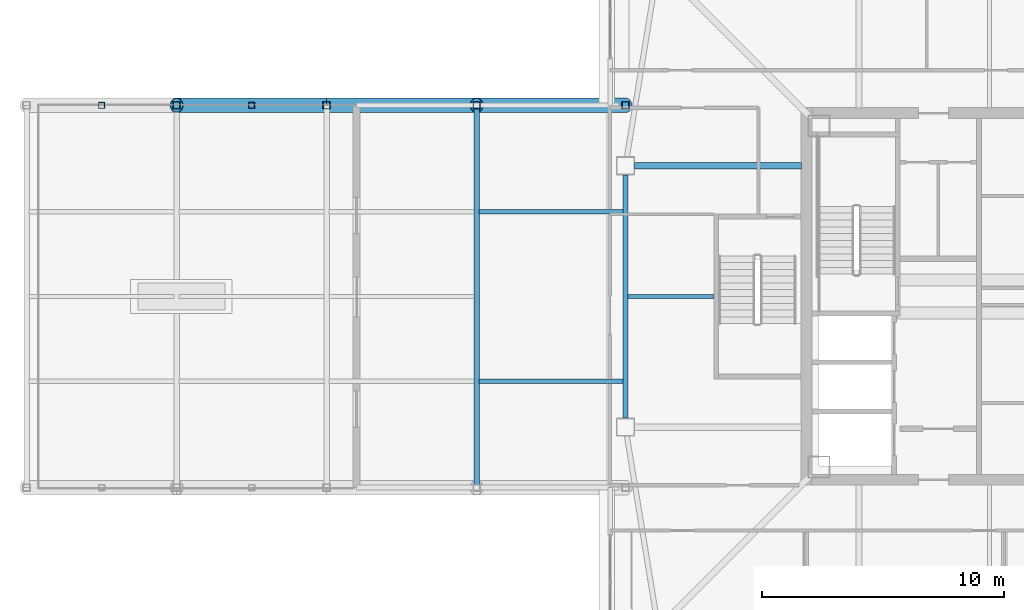
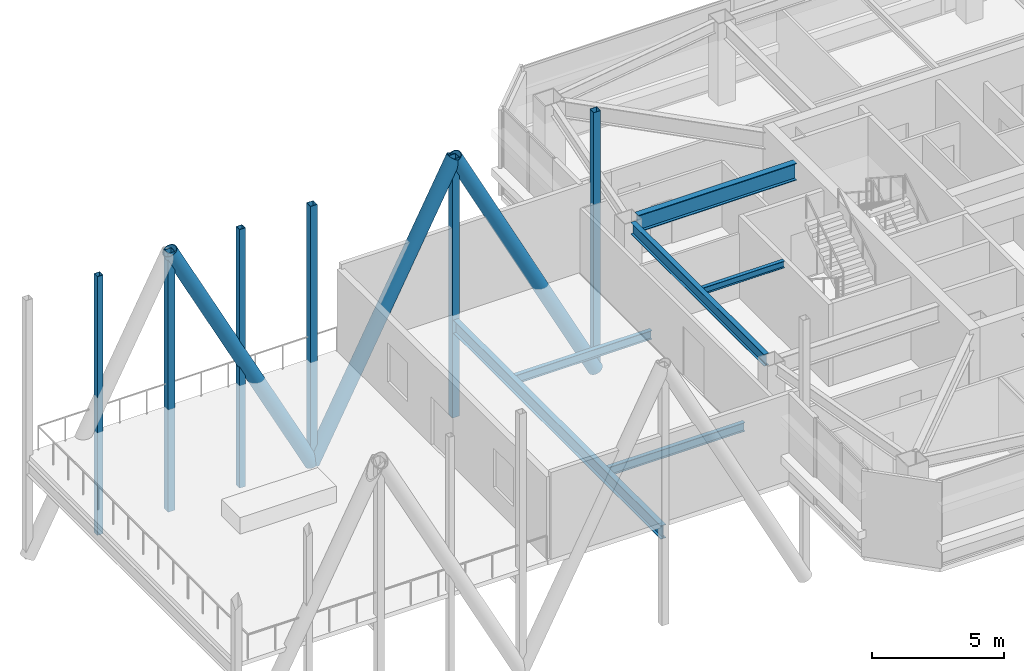
# One storey, part 8 of 53: 9 members, 6 beams.
"""IFC4 building model written with IfcOpenShell, lengths in metres."""

from ifc_helpers import new_model, si_unit, direction, frame, origin, origin_2d, place, context, subcontext, project, spatial, hollow_rectangle, hollow_circle, i_section, extrude, material, material_profile, profile_set, type_object, element, save


model = new_model("IFC4")

# Units and contexts
model_context = context("Model", 3, precision=1e-05, world=origin(), true_north=direction((0.0, 1.0)))
body_context = subcontext(model_context, "Body", "Model", "MODEL_VIEW")
ifc_project = project(units=[si_unit("LENGTHUNIT", "METRE"), si_unit("AREAUNIT", "SQUARE_METRE"), si_unit("VOLUMEUNIT", "CUBIC_METRE"), si_unit("PLANEANGLEUNIT", "RADIAN"), si_unit("MASSUNIT", "GRAM", prefix="KILO")], contexts=[model_context])

# Site, building, storey
site_placement = place(None, origin())
site = spatial("IfcSite", under=ifc_project, at=site_placement, CompositionType="ELEMENT")
building_placement = place(site_placement, origin())
building = spatial("IfcBuilding", under=site, at=building_placement, Name="Tashvorn Skyway Center", CompositionType="ELEMENT")
storey_placement = place(building_placement, frame((0.0, 0.0, 255.39990234375)))
storey = spatial("IfcBuildingStorey", under=building, at=storey_placement, Name="L69", CompositionType="ELEMENT", Elevation=255.39990234375)

# Beams
ifc_material_1 = material(Name="Steel ASTM A992 Grade 50", Category="steel")
ifc_material_profile_1 = material_profile(ifc_material_1, i_section(OverallWidth=0.22998046875, OverallDepth=0.616943359375, WebThickness=0.01318359375, FlangeThickness=0.022216796875, at=origin_2d()), Name="W24X94")
ifc_profile_set_1 = profile_set([ifc_material_profile_1], Name="Steel ASTM A992 Grade 50")
beam_type_1 = type_object("IfcBeamType", Name="BM-BEAM-W24X94", PredefinedType="BEAM", material=ifc_profile_set_1)
beam_1_placement = place(storey_placement, frame((20.800048828125, 24.10009765625, -0.5283203125), z_axis=(0.0, 1.0, 0.0), x_axis=(-1.0, 0.0, 0.0)))
element("IfcBeam", 1, at=beam_1_placement, inside=storey, type_object=beam_type_1, Name="Sky-Park L69 Transverse Floor Beam 04", PredefinedType="BEAM", context=body_context, shape_type="SweptSolid", body=[
    extrude(i_section(OverallWidth=0.22998046875, OverallDepth=0.616943359375, WebThickness=0.01318359375, FlangeThickness=0.022216796875, at=origin_2d()), origin(), (0.0, 0.0, 1.0), 15.7998046875),
])
ifc_material_profile_2 = material_profile(ifc_material_1, i_section(OverallWidth=0.26708984375, OverallDepth=0.779052734375, WebThickness=0.0166015625, FlangeThickness=0.030029296875, at=origin_2d()), Name="W30X148")
ifc_profile_set_2 = profile_set([ifc_material_profile_2], Name="Steel ASTM A992 Grade 50")
beam_type_2 = type_object("IfcBeamType", Name="BM-BEAM-W30X148", PredefinedType="BEAM", material=ifc_profile_set_2)
beam_2_placement = place(storey_placement, frame((27.320068359375, 37.39990234375, 3.390625), z_axis=(1.0, 0.0, 0.0), x_axis=(0.0, 1.0, 0.0)))
element("IfcBeam", 2, at=beam_2_placement, inside=storey, type_object=beam_type_2, Name="Tower 1 L69 Primary Floor Girder FC-W1", PredefinedType="BEAM", context=body_context, shape_type="SweptSolid", body=[
    extrude(i_section(OverallWidth=0.26708984375, OverallDepth=0.779052734375, WebThickness=0.0166015625, FlangeThickness=0.030029296875, at=origin_2d()), origin(), (0.0, 0.0, 1.0), 6.89990234375),
])
ifc_material_profile_3 = material_profile(ifc_material_1, i_section(OverallWidth=0.1650390625, OverallDepth=0.31005859375, WebThickness=0.005859375, FlangeThickness=0.009765625, at=origin_2d()), Name="W12X26")
ifc_profile_set_3 = profile_set([ifc_material_profile_3], Name="Steel ASTM A992 Grade 50")
beam_type_3 = type_object("IfcBeamType", Name="BM-JOIST-W12X26", PredefinedType="JOIST", material=ifc_profile_set_3)
beam_3_placement = place(storey_placement, frame((30.610107421875, 32.0, 3.625), z_axis=(-1.0, 0.0, 0.0), x_axis=(0.0, -1.0, 0.0)))
element("IfcBeam", 3, at=beam_3_placement, inside=storey, type_object=beam_type_3, Name="Tower 1 L69 Secondary Composite Joist JW", PredefinedType="JOIST", context=body_context, shape_type="SweptSolid", body=[
    extrude(i_section(OverallWidth=0.1650390625, OverallDepth=0.31005859375, WebThickness=0.005859375, FlangeThickness=0.009765625, at=origin_2d()), origin(), (0.0, 0.0, 1.0), 3.5625),
])
ifc_material_profile_4 = material_profile(ifc_material_1, i_section(OverallWidth=0.177978515625, OverallDepth=0.406005859375, WebThickness=0.0078125, FlangeThickness=0.0126953125, at=origin_2d()), Name="W16X40")
ifc_profile_set_4 = profile_set([ifc_material_profile_4], Name="Steel ASTM A992 Grade 50")
beam_type_4 = type_object("IfcBeamType", Name="BM-JOIST-W16X40", PredefinedType="JOIST", material=ifc_profile_set_4)
for number, where, z_axis, x_axis, name in (
    (4, (20.906982421875, 28.5, -0.4228515625), (1.0, 0.0, 0.0), (0.0, 1.0, 0.0), "Sky-Park L69 Longitudinal Joist 04-1"),
    (5, (20.906982421875, 35.5, -0.4228515625), (1.0, 0.0, 0.0), (0.0, 1.0, 0.0), "Sky-Park L69 Longitudinal Joist 04-3"),
):
    element("IfcBeam", number, at=place(storey_placement, frame(where, z_axis=z_axis, x_axis=x_axis)), inside=storey, type_object=beam_type_4, Name=name, PredefinedType="JOIST", context=body_context, shape_type="SweptSolid", body=[
        extrude(i_section(OverallWidth=0.177978515625, OverallDepth=0.406005859375, WebThickness=0.0078125, FlangeThickness=0.0126953125, at=origin_2d()), origin(), (0.0, 0.0, 1.0), 5.943603515625),
    ])
ifc_material_profile_5 = material_profile(ifc_material_1, i_section(OverallWidth=0.2109375, OverallDepth=0.5390625, WebThickness=0.01171875, FlangeThickness=0.018798828125, at=origin_2d()), Name="W21X73")
ifc_profile_set_5 = profile_set([ifc_material_profile_5], Name="Steel ASTM A992 Grade 50")
beam_type_5 = type_object("IfcBeamType", Name="BM-SPANDREL-W21X73", PredefinedType="SPANDREL", material=ifc_profile_set_5)
beam_4_placement = place(storey_placement, frame((26.949951171875, 37.030029296875, 3.510498046875), z_axis=(0.0, -1.0, 0.0), x_axis=(1.0, 0.0, 0.0)))
element("IfcBeam", 6, at=beam_4_placement, inside=storey, type_object=beam_type_5, Name="Tower 1 L69 Spandrel Beam 11", PredefinedType="SPANDREL", context=body_context, shape_type="SweptSolid", body=[
    extrude(i_section(OverallWidth=0.2109375, OverallDepth=0.5390625, WebThickness=0.01171875, FlangeThickness=0.018798828125, at=origin_2d()), origin(), (0.0, 0.0, 1.0), 10.06005859375),
])

# Members
ifc_material_2 = material(Name="Steel ASTM A572 Grade 50", Category="steel")
ifc_material_profile_6 = material_profile(ifc_material_2, hollow_circle(Radius=0.304931640625, WallThickness=0.02490234375, at=origin_2d()), Name="CHS610x25")
ifc_profile_set_6 = profile_set([ifc_material_profile_6], Name="Steel ASTM A572 Grade 50")
member_type_1 = type_object("IfcMemberType", Name="MEM-SP-DIA-610", PredefinedType="BRACE", material=ifc_profile_set_6)
for number, where, z_axis, x_axis, name in (
    (7, (8.39990234375, 39.89990234375, 7.194580078125), (0.461460292157, 0.0, -0.887160864084), (0.0, 1.0, 0.0), "Sky-Park Truss 2 Web Diagonal 02"),
    (8, (14.60009765625, 39.89990234375, -4.725341796875), (0.461445990735, 0.0, 0.88716830288), (0.0, 1.0, 0.0), "Sky-Park Truss 2 Web Diagonal 03"),
):
    element("IfcMember", number, at=place(storey_placement, frame(where, z_axis=z_axis, x_axis=x_axis)), inside=storey, type_object=member_type_1, Name=name, PredefinedType="BRACE", context=body_context, shape_type="SweptSolid", body=[
        extrude(hollow_circle(Radius=0.304931640625, WallThickness=0.02490234375, at=origin_2d()), origin(), (0.0, 0.0, 1.0), 13.43603515625),
    ])
member_placement = place(storey_placement, frame((20.800048828125, 39.89990234375, 7.194580078125), z_axis=(0.458506601815, 0.0, -0.888691001469), x_axis=(0.0, 1.0, 0.0)))
element("IfcMember", 9, at=member_placement, inside=storey, type_object=member_type_1, Name="Sky-Park Truss 2 Web Diagonal 04", PredefinedType="BRACE", context=body_context, shape_type="SweptSolid", body=[
    extrude(hollow_circle(Radius=0.304931640625, WallThickness=0.02490234375, at=origin_2d()), origin(), (0.0, 0.0, 1.0), 13.412841796875),
])
ifc_material_profile_7 = material_profile(ifc_material_2, hollow_rectangle(XDim=0.25, YDim=0.25, WallThickness=0.012451171875, at=origin_2d()), Name="HSS250x250x12.5")
ifc_profile_set_7 = profile_set([ifc_material_profile_7], Name="Steel ASTM A572 Grade 50")
member_type_2 = type_object("IfcMemberType", Name="MEM-SP-PST-250", PredefinedType="POST", material=ifc_profile_set_7)
for number, where, z_axis, x_axis, name in (
    (10, (5.300048828125, 39.89990234375, -4.725341796875), (0.0, 0.0, 1.0), (1.0, 0.0, 0.0), "Sky-Park Truss 2 Secondary Web Post 1"),
    (11, (11.5, 39.89990234375, -4.725341796875), (0.0, 0.0, 1.0), (1.0, 0.0, 0.0), "Sky-Park Truss 2 Secondary Web Post 2"),
):
    element("IfcMember", number, at=place(storey_placement, frame(where, z_axis=z_axis, x_axis=x_axis)), inside=storey, type_object=member_type_2, Name=name, PredefinedType="POST", context=body_context, shape_type="SweptSolid", body=[
        extrude(hollow_rectangle(XDim=0.25, YDim=0.25, WallThickness=0.012451171875, at=origin_2d()), origin(), (0.0, 0.0, 1.0), 11.919921875),
    ])
ifc_material_profile_8 = material_profile(ifc_material_2, hollow_rectangle(XDim=0.300048828125, YDim=0.300048828125, WallThickness=0.012451171875, at=origin_2d()), Name="HSS300x300x12.5")
ifc_profile_set_8 = profile_set([ifc_material_profile_8], Name="Steel ASTM A572 Grade 50")
member_type_3 = type_object("IfcMemberType", Name="MEM-SP-PST-300", PredefinedType="POST", material=ifc_profile_set_8)
for number, where, z_axis, x_axis, name in (
    (12, (8.39990234375, 39.89990234375, -4.725341796875), (0.0, 0.0, 1.0), (1.0, 0.0, 0.0), "Sky-Park Truss 2 Vertical Post 02"),
    (13, (14.60009765625, 39.89990234375, -4.725341796875), (0.0, 0.0, 1.0), (1.0, 0.0, 0.0), "Sky-Park Truss 2 Vertical Post 03"),
    (14, (20.800048828125, 39.89990234375, -4.725341796875), (0.0, 0.0, 1.0), (1.0, 0.0, 0.0), "Sky-Park Truss 2 Vertical Post 04"),
    (15, (26.949951171875, 39.89990234375, -4.725341796875), (0.0, 0.0, 1.0), (1.0, 0.0, 0.0), "Sky-Park Truss 2 Vertical Post 05"),
):
    element("IfcMember", number, at=place(storey_placement, frame(where, z_axis=z_axis, x_axis=x_axis)), inside=storey, type_object=member_type_3, Name=name, PredefinedType="POST", context=body_context, shape_type="SweptSolid", body=[
        extrude(hollow_rectangle(XDim=0.300048828125, YDim=0.300048828125, WallThickness=0.012451171875, at=origin_2d()), origin(), (0.0, 0.0, 1.0), 11.919921875),
    ])

save(model, "model.ifc")
